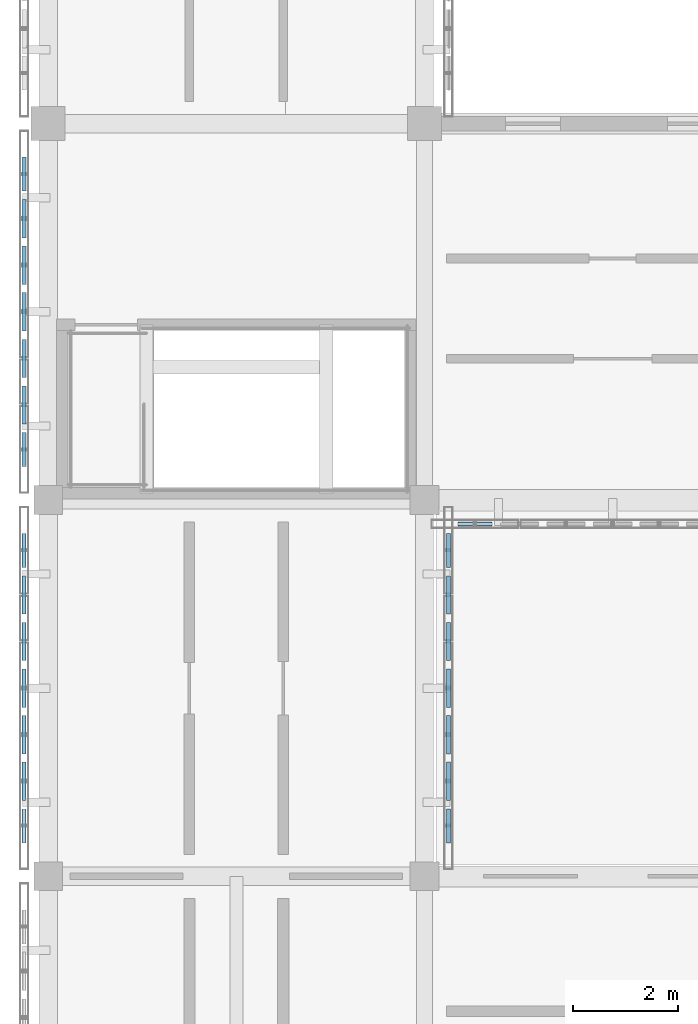
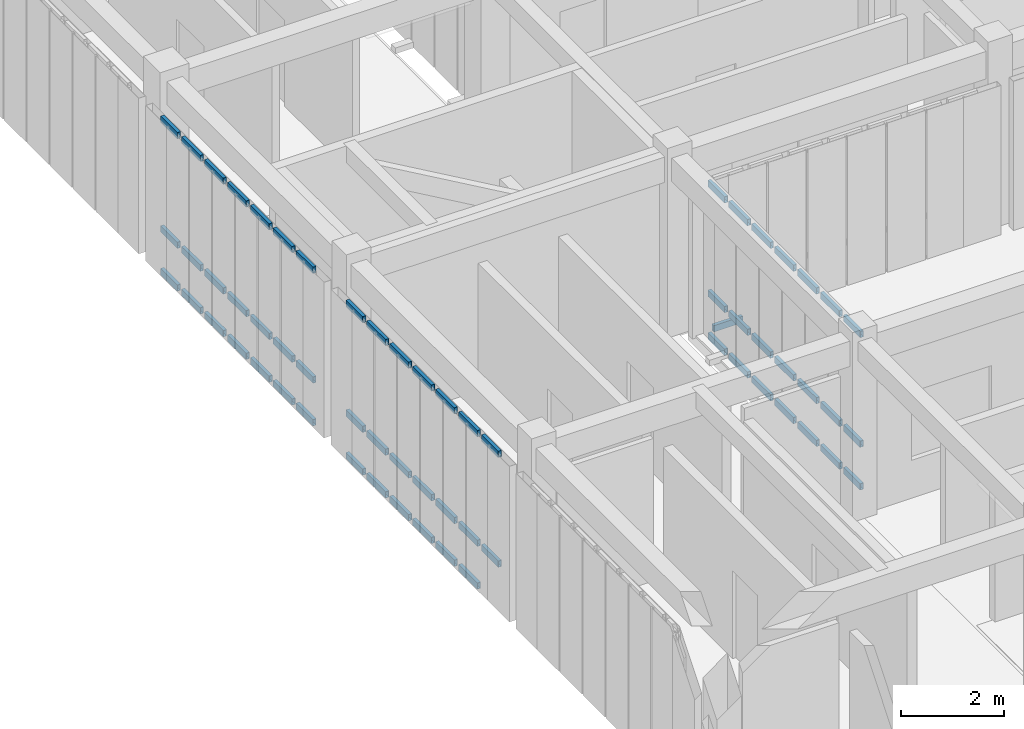
# One storey, part 22 of 91: 63 members, 4 elements without a shape of their own.
"""IFC4 building model written with IfcOpenShell, lengths in metres."""

import ifcopenshell
import ifcopenshell.guid

model = None  # the IFC model being written
_history = None  # IfcOwnerHistory: only IFC2X3 demands one
_inside = {}  # id of a spatial element -> (the spatial element, [elements in it])
_under = {}  # id of a project, library or spatial element -> (it, [spatial elements below it])
_declared = {}  # id of a project -> (the project, [libraries it declares])
_typed = {}  # id of a type object -> (the type object, [elements of that type])
_made_of = {}  # id of a material, layer set ... -> (it, [elements and type objects made of it])


def new_model(schema):
    """Start an empty IFC model of exactly this schema.

    Asked for "IFC4X3", IfcOpenShell would pick the latest addendum, in which some entities
    have other attributes; the version numbers below select the first issue.
    IFC2X3 requires an IfcOwnerHistory on every rooted entity: one is made here for all.
    """
    global model, _history
    if schema == "IFC4X3":
        model = ifcopenshell.file(schema_version=(4, 3, 0, 0))
    else:
        model = ifcopenshell.file(schema=schema)
    _inside.clear()
    _under.clear()
    _declared.clear()
    _typed.clear()
    _made_of.clear()
    _history = None
    if model.schema == "IFC2X3":
        org = make("IfcOrganization", Name="unknown")
        user = make(
            "IfcPersonAndOrganization",
            ThePerson=make("IfcPerson", FamilyName="unknown"),
            TheOrganization=org,
        )
        app = make(
            "IfcApplication",
            ApplicationDeveloper=org,
            Version="unknown",
            ApplicationFullName="unknown",
            ApplicationIdentifier="unknown",
        )
        _history = make(
            "IfcOwnerHistory",
            OwningUser=user,
            OwningApplication=app,
            ChangeAction="ADDED",
            CreationDate=0,
        )
    return model


def make(cls, **values):
    """One entity of the class cls with the attributes given. An attribute that is None is left unset."""
    return model.create_entity(
        cls, **{name: value for name, value in values.items() if value is not None}
    )


def rooted(cls, **values):
    """An entity with a GlobalId (a new one), such as an element, a storey or a relation."""
    return make(cls, GlobalId=ifcopenshell.guid.new(), OwnerHistory=_history, **values)


def si_unit(unit_type, name, prefix=None):
    """IfcSIUnit, for example si_unit("LENGTHUNIT", "METRE", prefix="MILLI")."""
    return make("IfcSIUnit", UnitType=unit_type, Prefix=prefix, Name=name)


def assignment(units):
    """IfcUnitAssignment: the units of a project."""
    return None if units is None else make("IfcUnitAssignment", Units=units)


def point(xyz):
    """IfcCartesianPoint."""
    return None if xyz is None else make("IfcCartesianPoint", Coordinates=xyz)


def direction(xyz):
    """IfcDirection."""
    return None if xyz is None else make("IfcDirection", DirectionRatios=xyz)


def frame(location, z_axis=None, x_axis=None):
    """IfcAxis2Placement3D, a coordinate frame: its origin and axes. An axis left out is left unset."""
    return make(
        "IfcAxis2Placement3D",
        Location=point(location),
        Axis=direction(z_axis),
        RefDirection=direction(x_axis),
    )


def frame_2d(location, x_axis=None):
    """IfcAxis2Placement2D, a coordinate frame in the plane: its origin and x axis."""
    return make(
        "IfcAxis2Placement2D", Location=point(location), RefDirection=direction(x_axis)
    )


def origin():
    """The frame at (0, 0, 0) with its axes left unset."""
    return frame((0.0, 0.0, 0.0))


def origin_2d():
    """The frame at (0, 0) in the plane with its x axis left unset."""
    return frame_2d((0.0, 0.0))


def place(relative_to, where):
    """IfcLocalPlacement: puts the frame where relative to a parent placement (None: the world)."""
    return make(
        "IfcLocalPlacement", PlacementRelTo=relative_to, RelativePlacement=where
    )


def context(
    kind, dimensions, precision=None, world=None, true_north=None, identifier=None
):
    """IfcGeometricRepresentationContext, for example the 3D "Model" context."""
    return make(
        "IfcGeometricRepresentationContext",
        ContextIdentifier=identifier,
        ContextType=kind,
        CoordinateSpaceDimension=dimensions,
        Precision=precision,
        WorldCoordinateSystem=world,
        TrueNorth=true_north,
    )


def subcontext(parent, identifier, kind, view, scale=None):
    """IfcGeometricRepresentationSubContext, for example "Body" below "Model"."""
    return make(
        "IfcGeometricRepresentationSubContext",
        ContextIdentifier=identifier,
        ContextType=kind,
        ParentContext=parent,
        TargetScale=scale,
        TargetView=view,
    )


def project(units=None, contexts=None):
    """IfcProject with its units and contexts."""
    return rooted(
        "IfcProject",
        Name="project",
        RepresentationContexts=contexts,
        UnitsInContext=assignment(units),
    )


def spatial(cls, under=None, at=None, **own):
    """A site, building, storey or space (cls), placed at a placement, below another one or the project."""
    s = rooted(cls, ObjectPlacement=at, **own)
    if under is not None:
        _under.setdefault(under.id(), (under, []))[1].append(s)
    return s


def profile(cls, at=None, kind="AREA", **sizes):
    """A parametric profile (cls). Its sizes go by their IFC names, for example OverallWidth=200.0."""
    return make(cls, ProfileType=kind, Position=at, **sizes)


def hollow_rectangle(**sizes):
    """IfcRectangleHollowProfileDef."""
    return profile("IfcRectangleHollowProfileDef", **sizes)


def extrude(swept, where, along, depth):
    """IfcExtrudedAreaSolid: the profile swept, set in the frame where, extruded along a direction by depth."""
    return make(
        "IfcExtrudedAreaSolid",
        SweptArea=swept,
        Position=where,
        ExtrudedDirection=direction(along),
        Depth=depth,
    )


def shape(context_of_items, identifier, shape_type, items):
    """IfcShapeRepresentation: the items that make up one representation, for example the "Body"."""
    return make(
        "IfcShapeRepresentation",
        ContextOfItems=context_of_items,
        RepresentationIdentifier=identifier,
        RepresentationType=shape_type,
        Items=items,
    )


def material(Name=None, Category=None):
    """IfcMaterial."""
    return make("IfcMaterial", Name=Name, Category=Category)


def material_profile(
    of_material, cross_section, Name=None, Category=None, Priority=None
):
    """IfcMaterialProfile: a cross section and its material."""
    return make(
        "IfcMaterialProfile",
        Name=Name,
        Material=of_material,
        Profile=cross_section,
        Priority=Priority,
        Category=Category,
    )


def profile_set(profiles, Name=None, composite=None):
    """IfcMaterialProfileSet."""
    return make(
        "IfcMaterialProfileSet",
        Name=Name,
        MaterialProfiles=profiles,
        CompositeProfile=composite,
    )


def made_of(thing, what):
    """Note that an element or type object is made of a material, layer set ...; save() writes the relation."""
    if what is not None:
        _made_of.setdefault(what.id(), (what, []))[1].append(thing)
    return thing


def type_object(cls, material=None, **own):
    """A type object (cls), such as IfcWallType, which elements share."""
    return made_of(rooted(cls, **own), material)


def element(
    cls,
    number,
    at=None,
    inside=None,
    cuts=None,
    type_object=None,
    material=None,
    context=None,
    identifier="Body",
    shape_type=None,
    held_by="IfcProductDefinitionShape",
    body=None,
    shapes=None,
    **own,
):
    """One element of the class cls, such as IfcWall. Its Tag is "e" and its number.

    at: its placement. inside: the storey or other place that contains it. cuts: it is an
    opening in that element (IfcRelVoidsElement). A single representation is given by context,
    identifier, shape_type and body (its items); several are given by shapes. held_by: the class
    of the entity that holds the representations. save() writes the other relations.
    """
    e = rooted(cls, Tag="e%d" % number, ObjectPlacement=at, **own)
    if body is not None:
        shapes = [shape(context, identifier, shape_type, body)]
    if shapes is not None:
        e.Representation = make(held_by, Representations=shapes)
    if inside is not None:
        _inside.setdefault(inside.id(), (inside, []))[1].append(e)
    if cuts is not None:
        rooted(
            "IfcRelVoidsElement", RelatingBuildingElement=cuts, RelatedOpeningElement=e
        )
    if type_object is not None:
        _typed.setdefault(type_object.id(), (type_object, []))[1].append(e)
    return made_of(e, material)


def aggregate(whole, parts):
    """IfcRelAggregates: a whole, such as a stair, and the parts it consists of."""
    return rooted("IfcRelAggregates", RelatingObject=whole, RelatedObjects=parts)


def save(model, path):
    """Write the relations noted so far, then the file.

    IfcRelAggregates (storeys below a building ...), IfcRelContainedInSpatialStructure (elements
    in a storey), IfcRelDefinesByType, IfcRelAssociatesMaterial and IfcRelDeclares: one each for
    every whole, place, type object, material and project.
    """
    for whole, parts in _under.values():
        aggregate(whole, parts)
    for where, things in _inside.values():
        rooted(
            "IfcRelContainedInSpatialStructure",
            RelatedElements=things,
            RelatingStructure=where,
        )
    for kind, things in _typed.values():
        rooted("IfcRelDefinesByType", RelatedObjects=things, RelatingType=kind)
    for what, things in _made_of.values():
        rooted("IfcRelAssociatesMaterial", RelatedObjects=things, RelatingMaterial=what)
    for by, libraries in _declared.values():
        rooted("IfcRelDeclares", RelatingContext=by, RelatedDefinitions=libraries)
    model.write(path)


model = new_model("IFC4")

# Units and contexts
model_context = context("Model", 3, precision=1e-05, world=origin(), true_north=direction((0.0, 1.0)))
body_context = subcontext(model_context, "Body", "Model", "MODEL_VIEW")
ifc_project = project(units=[si_unit("LENGTHUNIT", "METRE"), si_unit("AREAUNIT", "SQUARE_METRE"), si_unit("VOLUMEUNIT", "CUBIC_METRE"), si_unit("PLANEANGLEUNIT", "RADIAN"), si_unit("MASSUNIT", "GRAM", prefix="KILO")], contexts=[model_context])

# Site, building, storey
site_placement = place(None, origin())
site = spatial("IfcSite", under=ifc_project, at=site_placement, CompositionType="ELEMENT")
building_placement = place(site_placement, origin())
building = spatial("IfcBuilding", under=site, at=building_placement, Name="Aldebral Square Health Centre", CompositionType="ELEMENT")
storey_placement = place(building_placement, frame((0.0, 0.0, 9.0)))
storey = spatial("IfcBuildingStorey", under=building, at=storey_placement, Name="L02", CompositionType="ELEMENT", Elevation=9.0)

# Curtain wall, members
ifc_material_1 = material(Name="Aluminium and low-E solar glass", Category="aluminium")
curtain_wall_type = type_object("IfcCurtainWallType", Name="CW-FIN-SYS", PredefinedType="USERDEFINED", material=ifc_material_1)
curtain_wall_1_placement = place(storey_placement, origin())
curtain_wall_1 = element("IfcCurtainWall", 1, at=curtain_wall_1_placement, inside=storey, type_object=curtain_wall_type, Name="L02 V4 finned curtain wall L02-V4-00-07-W", ObjectType="SOLAR_CURTAIN_WALL", PredefinedType="USERDEFINED")
ifc_material_2 = material(Name="Anodised aluminium transom", Category="aluminium")
ifc_material_profile = material_profile(ifc_material_2, hollow_rectangle(XDim=0.074951171875, YDim=0.14990234375, WallThickness=0.00390625, at=origin_2d()), Name="CWT 75x150x4")
ifc_profile_set = profile_set([ifc_material_profile], Name="Anodised aluminium transom")
member_type = type_object("IfcMemberType", Name="CWT-STD", PredefinedType="USERDEFINED", material=ifc_profile_set)
member_1_placement = place(storey_placement, frame((-0.4599609375, 56.9599609375, 0.03759765625), z_axis=(0.0, -1.0, 0.0), x_axis=(1.0, 0.0, 0.0)))
member_1 = element("IfcMember", 2, at=member_1_placement, type_object=member_type, Name="CW1 transom 1.1", ObjectType="TRANSOM", PredefinedType="USERDEFINED", context=body_context, shape_type="SweptSolid", body=[
    extrude(hollow_rectangle(XDim=0.074951171875, YDim=0.14990234375, WallThickness=0.00390625, at=origin_2d()), origin(), (0.0, 0.0, 1.0), 0.6513671875),
])
member_2_placement = place(storey_placement, frame((-0.4599609375, 56.9599609375, 1.050048828125), z_axis=(0.0, -1.0, 0.0), x_axis=(1.0, 0.0, 0.0)))
member_2 = element("IfcMember", 3, at=member_2_placement, type_object=member_type, Name="CW1 transom 1.2", ObjectType="TRANSOM", PredefinedType="USERDEFINED", context=body_context, shape_type="SweptSolid", body=[
    extrude(hollow_rectangle(XDim=0.074951171875, YDim=0.14990234375, WallThickness=0.00390625, at=origin_2d()), origin(), (0.0, 0.0, 1.0), 0.6513671875),
])
member_3_placement = place(storey_placement, frame((-0.4599609375, 56.9599609375, 3.652587890625), z_axis=(0.0, -1.0, 0.0), x_axis=(1.0, 0.0, 0.0)))
member_3 = element("IfcMember", 4, at=member_3_placement, type_object=member_type, Name="CW1 transom 1.3", ObjectType="TRANSOM", PredefinedType="USERDEFINED", context=body_context, shape_type="SweptSolid", body=[
    extrude(hollow_rectangle(XDim=0.074951171875, YDim=0.14990234375, WallThickness=0.00390625, at=origin_2d()), origin(), (0.0, 0.0, 1.0), 0.6513671875),
])
member_4_placement = place(storey_placement, frame((-0.4599609375, 56.148681640625, 0.03759765625), z_axis=(0.0, -1.0, 0.0), x_axis=(1.0, 0.0, 0.0)))
member_4 = element("IfcMember", 5, at=member_4_placement, type_object=member_type, Name="CW1 transom 2.1", ObjectType="TRANSOM", PredefinedType="USERDEFINED", context=body_context, shape_type="SweptSolid", body=[
    extrude(hollow_rectangle(XDim=0.074951171875, YDim=0.14990234375, WallThickness=0.00390625, at=origin_2d()), origin(), (0.0, 0.0, 1.0), 0.7314453125),
])
member_5_placement = place(storey_placement, frame((-0.4599609375, 56.148681640625, 1.050048828125), z_axis=(0.0, -1.0, 0.0), x_axis=(1.0, 0.0, 0.0)))
member_5 = element("IfcMember", 6, at=member_5_placement, type_object=member_type, Name="CW1 transom 2.2", ObjectType="TRANSOM", PredefinedType="USERDEFINED", context=body_context, shape_type="SweptSolid", body=[
    extrude(hollow_rectangle(XDim=0.074951171875, YDim=0.14990234375, WallThickness=0.00390625, at=origin_2d()), origin(), (0.0, 0.0, 1.0), 0.7314453125),
])
member_6_placement = place(storey_placement, frame((-0.4599609375, 56.148681640625, 3.652587890625), z_axis=(0.0, -1.0, 0.0), x_axis=(1.0, 0.0, 0.0)))
member_6 = element("IfcMember", 7, at=member_6_placement, type_object=member_type, Name="CW1 transom 2.3", ObjectType="TRANSOM", PredefinedType="USERDEFINED", context=body_context, shape_type="SweptSolid", body=[
    extrude(hollow_rectangle(XDim=0.074951171875, YDim=0.14990234375, WallThickness=0.00390625, at=origin_2d()), origin(), (0.0, 0.0, 1.0), 0.7314453125),
])
member_7_placement = place(storey_placement, frame((-0.4599609375, 55.257080078125, 0.03759765625), z_axis=(0.0, -1.0, 0.0), x_axis=(1.0, 0.0, 0.0)))
member_7 = element("IfcMember", 8, at=member_7_placement, type_object=member_type, Name="CW1 transom 3.1", ObjectType="TRANSOM", PredefinedType="USERDEFINED", context=body_context, shape_type="SweptSolid", body=[
    extrude(hollow_rectangle(XDim=0.074951171875, YDim=0.14990234375, WallThickness=0.00390625, at=origin_2d()), origin(), (0.0, 0.0, 1.0), 0.7314453125),
])
member_8_placement = place(storey_placement, frame((-0.4599609375, 55.257080078125, 1.050048828125), z_axis=(0.0, -1.0, 0.0), x_axis=(1.0, 0.0, 0.0)))
member_8 = element("IfcMember", 9, at=member_8_placement, type_object=member_type, Name="CW1 transom 3.2", ObjectType="TRANSOM", PredefinedType="USERDEFINED", context=body_context, shape_type="SweptSolid", body=[
    extrude(hollow_rectangle(XDim=0.074951171875, YDim=0.14990234375, WallThickness=0.00390625, at=origin_2d()), origin(), (0.0, 0.0, 1.0), 0.7314453125),
])
member_9_placement = place(storey_placement, frame((-0.4599609375, 55.257080078125, 3.652587890625), z_axis=(0.0, -1.0, 0.0), x_axis=(1.0, 0.0, 0.0)))
member_9 = element("IfcMember", 10, at=member_9_placement, type_object=member_type, Name="CW1 transom 3.3", ObjectType="TRANSOM", PredefinedType="USERDEFINED", context=body_context, shape_type="SweptSolid", body=[
    extrude(hollow_rectangle(XDim=0.074951171875, YDim=0.14990234375, WallThickness=0.00390625, at=origin_2d()), origin(), (0.0, 0.0, 1.0), 0.7314453125),
])
member_10_placement = place(storey_placement, frame((-0.4599609375, 54.36572265625, 0.03759765625), z_axis=(0.0, -1.0, 0.0), x_axis=(1.0, 0.0, 0.0)))
member_10 = element("IfcMember", 11, at=member_10_placement, type_object=member_type, Name="CW1 transom 4.1", ObjectType="TRANSOM", PredefinedType="USERDEFINED", context=body_context, shape_type="SweptSolid", body=[
    extrude(hollow_rectangle(XDim=0.074951171875, YDim=0.14990234375, WallThickness=0.00390625, at=origin_2d()), origin(), (0.0, 0.0, 1.0), 0.7314453125),
])
member_11_placement = place(storey_placement, frame((-0.4599609375, 54.36572265625, 1.050048828125), z_axis=(0.0, -1.0, 0.0), x_axis=(1.0, 0.0, 0.0)))
member_11 = element("IfcMember", 12, at=member_11_placement, type_object=member_type, Name="CW1 transom 4.2", ObjectType="TRANSOM", PredefinedType="USERDEFINED", context=body_context, shape_type="SweptSolid", body=[
    extrude(hollow_rectangle(XDim=0.074951171875, YDim=0.14990234375, WallThickness=0.00390625, at=origin_2d()), origin(), (0.0, 0.0, 1.0), 0.7314453125),
])
member_12_placement = place(storey_placement, frame((-0.4599609375, 54.36572265625, 3.652587890625), z_axis=(0.0, -1.0, 0.0), x_axis=(1.0, 0.0, 0.0)))
member_12 = element("IfcMember", 13, at=member_12_placement, type_object=member_type, Name="CW1 transom 4.3", ObjectType="TRANSOM", PredefinedType="USERDEFINED", context=body_context, shape_type="SweptSolid", body=[
    extrude(hollow_rectangle(XDim=0.074951171875, YDim=0.14990234375, WallThickness=0.00390625, at=origin_2d()), origin(), (0.0, 0.0, 1.0), 0.7314453125),
])
member_13_placement = place(storey_placement, frame((-0.4599609375, 53.474365234375, 0.03759765625), z_axis=(0.0, -1.0, 0.0), x_axis=(1.0, 0.0, 0.0)))
member_13 = element("IfcMember", 14, at=member_13_placement, type_object=member_type, Name="CW1 transom 5.1", ObjectType="TRANSOM", PredefinedType="USERDEFINED", context=body_context, shape_type="SweptSolid", body=[
    extrude(hollow_rectangle(XDim=0.074951171875, YDim=0.14990234375, WallThickness=0.00390625, at=origin_2d()), origin(), (0.0, 0.0, 1.0), 0.7314453125),
])
member_14_placement = place(storey_placement, frame((-0.4599609375, 53.474365234375, 1.050048828125), z_axis=(0.0, -1.0, 0.0), x_axis=(1.0, 0.0, 0.0)))
member_14 = element("IfcMember", 15, at=member_14_placement, type_object=member_type, Name="CW1 transom 5.2", ObjectType="TRANSOM", PredefinedType="USERDEFINED", context=body_context, shape_type="SweptSolid", body=[
    extrude(hollow_rectangle(XDim=0.074951171875, YDim=0.14990234375, WallThickness=0.00390625, at=origin_2d()), origin(), (0.0, 0.0, 1.0), 0.7314453125),
])
member_15_placement = place(storey_placement, frame((-0.4599609375, 53.474365234375, 3.652587890625), z_axis=(0.0, -1.0, 0.0), x_axis=(1.0, 0.0, 0.0)))
member_15 = element("IfcMember", 16, at=member_15_placement, type_object=member_type, Name="CW1 transom 5.3", ObjectType="TRANSOM", PredefinedType="USERDEFINED", context=body_context, shape_type="SweptSolid", body=[
    extrude(hollow_rectangle(XDim=0.074951171875, YDim=0.14990234375, WallThickness=0.00390625, at=origin_2d()), origin(), (0.0, 0.0, 1.0), 0.7314453125),
])
member_16_placement = place(storey_placement, frame((-0.4599609375, 52.582763671875, 0.03759765625), z_axis=(0.0, -1.0, 0.0), x_axis=(1.0, 0.0, 0.0)))
member_16 = element("IfcMember", 17, at=member_16_placement, type_object=member_type, Name="CW1 transom 6.1", ObjectType="TRANSOM", PredefinedType="USERDEFINED", context=body_context, shape_type="SweptSolid", body=[
    extrude(hollow_rectangle(XDim=0.074951171875, YDim=0.14990234375, WallThickness=0.00390625, at=origin_2d()), origin(), (0.0, 0.0, 1.0), 0.7314453125),
])
member_17_placement = place(storey_placement, frame((-0.4599609375, 52.582763671875, 1.050048828125), z_axis=(0.0, -1.0, 0.0), x_axis=(1.0, 0.0, 0.0)))
member_17 = element("IfcMember", 18, at=member_17_placement, type_object=member_type, Name="CW1 transom 6.2", ObjectType="TRANSOM", PredefinedType="USERDEFINED", context=body_context, shape_type="SweptSolid", body=[
    extrude(hollow_rectangle(XDim=0.074951171875, YDim=0.14990234375, WallThickness=0.00390625, at=origin_2d()), origin(), (0.0, 0.0, 1.0), 0.7314453125),
])
member_18_placement = place(storey_placement, frame((-0.4599609375, 52.582763671875, 3.652587890625), z_axis=(0.0, -1.0, 0.0), x_axis=(1.0, 0.0, 0.0)))
member_18 = element("IfcMember", 19, at=member_18_placement, type_object=member_type, Name="CW1 transom 6.3", ObjectType="TRANSOM", PredefinedType="USERDEFINED", context=body_context, shape_type="SweptSolid", body=[
    extrude(hollow_rectangle(XDim=0.074951171875, YDim=0.14990234375, WallThickness=0.00390625, at=origin_2d()), origin(), (0.0, 0.0, 1.0), 0.7314453125),
])
member_19_placement = place(storey_placement, frame((-0.4599609375, 51.69140625, 1.050048828125), z_axis=(0.0, -1.0, 0.0), x_axis=(1.0, 0.0, 0.0)))
member_19 = element("IfcMember", 20, at=member_19_placement, type_object=member_type, Name="CW1 transom 7.2", ObjectType="TRANSOM", PredefinedType="USERDEFINED", context=body_context, shape_type="SweptSolid", body=[
    extrude(hollow_rectangle(XDim=0.074951171875, YDim=0.14990234375, WallThickness=0.00390625, at=origin_2d()), origin(), (0.0, 0.0, 1.0), 0.6513671875),
])
member_20_placement = place(storey_placement, frame((-0.4599609375, 51.69140625, 3.652587890625), z_axis=(0.0, -1.0, 0.0), x_axis=(1.0, 0.0, 0.0)))
member_20 = element("IfcMember", 21, at=member_20_placement, type_object=member_type, Name="CW1 transom 7.3", ObjectType="TRANSOM", PredefinedType="USERDEFINED", context=body_context, shape_type="SweptSolid", body=[
    extrude(hollow_rectangle(XDim=0.074951171875, YDim=0.14990234375, WallThickness=0.00390625, at=origin_2d()), origin(), (0.0, 0.0, 1.0), 0.6513671875),
])
aggregate(curtain_wall_1, [member_1, member_2, member_3, member_4, member_5, member_6, member_7, member_8, member_9, member_10, member_11, member_12, member_13, member_14, member_15, member_16, member_17, member_18, member_19, member_20])

curtain_wall_2_placement = place(storey_placement, origin())
curtain_wall_2 = element("IfcCurtainWall", 22, at=curtain_wall_2_placement, inside=storey, type_object=curtain_wall_type, Name="L02 V4 finned curtain wall L02-V4-00-07-E", ObjectType="SOLAR_CURTAIN_WALL", PredefinedType="USERDEFINED")
member_21_placement = place(storey_placement, frame((7.659912109375, 51.0400390625, 0.03759765625), z_axis=(0.0, 1.0, 0.0), x_axis=(-1.0, 0.0, 0.0)))
member_21 = element("IfcMember", 23, at=member_21_placement, type_object=member_type, Name="CW1 transom 1.1", ObjectType="TRANSOM", PredefinedType="USERDEFINED", context=body_context, shape_type="SweptSolid", body=[
    extrude(hollow_rectangle(XDim=0.074951171875, YDim=0.14990234375, WallThickness=0.00390625, at=origin_2d()), origin(), (0.0, 0.0, 1.0), 0.6513671875),
])
member_22_placement = place(storey_placement, frame((7.659912109375, 51.0400390625, 1.050048828125), z_axis=(0.0, 1.0, 0.0), x_axis=(-1.0, 0.0, 0.0)))
member_22 = element("IfcMember", 24, at=member_22_placement, type_object=member_type, Name="CW1 transom 1.2", ObjectType="TRANSOM", PredefinedType="USERDEFINED", context=body_context, shape_type="SweptSolid", body=[
    extrude(hollow_rectangle(XDim=0.074951171875, YDim=0.14990234375, WallThickness=0.00390625, at=origin_2d()), origin(), (0.0, 0.0, 1.0), 0.6513671875),
])
member_23_placement = place(storey_placement, frame((7.659912109375, 51.0400390625, 3.652587890625), z_axis=(0.0, 1.0, 0.0), x_axis=(-1.0, 0.0, 0.0)))
member_23 = element("IfcMember", 25, at=member_23_placement, type_object=member_type, Name="CW1 transom 1.3", ObjectType="TRANSOM", PredefinedType="USERDEFINED", context=body_context, shape_type="SweptSolid", body=[
    extrude(hollow_rectangle(XDim=0.074951171875, YDim=0.14990234375, WallThickness=0.00390625, at=origin_2d()), origin(), (0.0, 0.0, 1.0), 0.6513671875),
])
member_24_placement = place(storey_placement, frame((7.659912109375, 51.851318359375, 0.03759765625), z_axis=(0.0, 1.0, 0.0), x_axis=(-1.0, 0.0, 0.0)))
member_24 = element("IfcMember", 26, at=member_24_placement, type_object=member_type, Name="CW1 transom 2.1", ObjectType="TRANSOM", PredefinedType="USERDEFINED", context=body_context, shape_type="SweptSolid", body=[
    extrude(hollow_rectangle(XDim=0.074951171875, YDim=0.14990234375, WallThickness=0.00390625, at=origin_2d()), origin(), (0.0, 0.0, 1.0), 0.7314453125),
])
member_25_placement = place(storey_placement, frame((7.659912109375, 51.851318359375, 1.050048828125), z_axis=(0.0, 1.0, 0.0), x_axis=(-1.0, 0.0, 0.0)))
member_25 = element("IfcMember", 27, at=member_25_placement, type_object=member_type, Name="CW1 transom 2.2", ObjectType="TRANSOM", PredefinedType="USERDEFINED", context=body_context, shape_type="SweptSolid", body=[
    extrude(hollow_rectangle(XDim=0.074951171875, YDim=0.14990234375, WallThickness=0.00390625, at=origin_2d()), origin(), (0.0, 0.0, 1.0), 0.7314453125),
])
member_26_placement = place(storey_placement, frame((7.659912109375, 51.851318359375, 3.652587890625), z_axis=(0.0, 1.0, 0.0), x_axis=(-1.0, 0.0, 0.0)))
member_26 = element("IfcMember", 28, at=member_26_placement, type_object=member_type, Name="CW1 transom 2.3", ObjectType="TRANSOM", PredefinedType="USERDEFINED", context=body_context, shape_type="SweptSolid", body=[
    extrude(hollow_rectangle(XDim=0.074951171875, YDim=0.14990234375, WallThickness=0.00390625, at=origin_2d()), origin(), (0.0, 0.0, 1.0), 0.7314453125),
])
member_27_placement = place(storey_placement, frame((7.659912109375, 52.742919921875, 0.03759765625), z_axis=(0.0, 1.0, 0.0), x_axis=(-1.0, 0.0, 0.0)))
member_27 = element("IfcMember", 29, at=member_27_placement, type_object=member_type, Name="CW1 transom 3.1", ObjectType="TRANSOM", PredefinedType="USERDEFINED", context=body_context, shape_type="SweptSolid", body=[
    extrude(hollow_rectangle(XDim=0.074951171875, YDim=0.14990234375, WallThickness=0.00390625, at=origin_2d()), origin(), (0.0, 0.0, 1.0), 0.7314453125),
])
member_28_placement = place(storey_placement, frame((7.659912109375, 52.742919921875, 1.050048828125), z_axis=(0.0, 1.0, 0.0), x_axis=(-1.0, 0.0, 0.0)))
member_28 = element("IfcMember", 30, at=member_28_placement, type_object=member_type, Name="CW1 transom 3.2", ObjectType="TRANSOM", PredefinedType="USERDEFINED", context=body_context, shape_type="SweptSolid", body=[
    extrude(hollow_rectangle(XDim=0.074951171875, YDim=0.14990234375, WallThickness=0.00390625, at=origin_2d()), origin(), (0.0, 0.0, 1.0), 0.7314453125),
])
member_29_placement = place(storey_placement, frame((7.659912109375, 52.742919921875, 3.652587890625), z_axis=(0.0, 1.0, 0.0), x_axis=(-1.0, 0.0, 0.0)))
member_29 = element("IfcMember", 31, at=member_29_placement, type_object=member_type, Name="CW1 transom 3.3", ObjectType="TRANSOM", PredefinedType="USERDEFINED", context=body_context, shape_type="SweptSolid", body=[
    extrude(hollow_rectangle(XDim=0.074951171875, YDim=0.14990234375, WallThickness=0.00390625, at=origin_2d()), origin(), (0.0, 0.0, 1.0), 0.7314453125),
])
member_30_placement = place(storey_placement, frame((7.659912109375, 53.63427734375, 0.03759765625), z_axis=(0.0, 1.0, 0.0), x_axis=(-1.0, 0.0, 0.0)))
member_30 = element("IfcMember", 32, at=member_30_placement, type_object=member_type, Name="CW1 transom 4.1", ObjectType="TRANSOM", PredefinedType="USERDEFINED", context=body_context, shape_type="SweptSolid", body=[
    extrude(hollow_rectangle(XDim=0.074951171875, YDim=0.14990234375, WallThickness=0.00390625, at=origin_2d()), origin(), (0.0, 0.0, 1.0), 0.7314453125),
])
member_31_placement = place(storey_placement, frame((7.659912109375, 53.63427734375, 1.050048828125), z_axis=(0.0, 1.0, 0.0), x_axis=(-1.0, 0.0, 0.0)))
member_31 = element("IfcMember", 33, at=member_31_placement, type_object=member_type, Name="CW1 transom 4.2", ObjectType="TRANSOM", PredefinedType="USERDEFINED", context=body_context, shape_type="SweptSolid", body=[
    extrude(hollow_rectangle(XDim=0.074951171875, YDim=0.14990234375, WallThickness=0.00390625, at=origin_2d()), origin(), (0.0, 0.0, 1.0), 0.7314453125),
])
member_32_placement = place(storey_placement, frame((7.659912109375, 53.63427734375, 3.652587890625), z_axis=(0.0, 1.0, 0.0), x_axis=(-1.0, 0.0, 0.0)))
member_32 = element("IfcMember", 34, at=member_32_placement, type_object=member_type, Name="CW1 transom 4.3", ObjectType="TRANSOM", PredefinedType="USERDEFINED", context=body_context, shape_type="SweptSolid", body=[
    extrude(hollow_rectangle(XDim=0.074951171875, YDim=0.14990234375, WallThickness=0.00390625, at=origin_2d()), origin(), (0.0, 0.0, 1.0), 0.7314453125),
])
member_33_placement = place(storey_placement, frame((7.659912109375, 54.525634765625, 0.03759765625), z_axis=(0.0, 1.0, 0.0), x_axis=(-1.0, 0.0, 0.0)))
member_33 = element("IfcMember", 35, at=member_33_placement, type_object=member_type, Name="CW1 transom 5.1", ObjectType="TRANSOM", PredefinedType="USERDEFINED", context=body_context, shape_type="SweptSolid", body=[
    extrude(hollow_rectangle(XDim=0.074951171875, YDim=0.14990234375, WallThickness=0.00390625, at=origin_2d()), origin(), (0.0, 0.0, 1.0), 0.7314453125),
])
member_34_placement = place(storey_placement, frame((7.659912109375, 54.525634765625, 1.050048828125), z_axis=(0.0, 1.0, 0.0), x_axis=(-1.0, 0.0, 0.0)))
member_34 = element("IfcMember", 36, at=member_34_placement, type_object=member_type, Name="CW1 transom 5.2", ObjectType="TRANSOM", PredefinedType="USERDEFINED", context=body_context, shape_type="SweptSolid", body=[
    extrude(hollow_rectangle(XDim=0.074951171875, YDim=0.14990234375, WallThickness=0.00390625, at=origin_2d()), origin(), (0.0, 0.0, 1.0), 0.7314453125),
])
member_35_placement = place(storey_placement, frame((7.659912109375, 54.525634765625, 3.652587890625), z_axis=(0.0, 1.0, 0.0), x_axis=(-1.0, 0.0, 0.0)))
member_35 = element("IfcMember", 37, at=member_35_placement, type_object=member_type, Name="CW1 transom 5.3", ObjectType="TRANSOM", PredefinedType="USERDEFINED", context=body_context, shape_type="SweptSolid", body=[
    extrude(hollow_rectangle(XDim=0.074951171875, YDim=0.14990234375, WallThickness=0.00390625, at=origin_2d()), origin(), (0.0, 0.0, 1.0), 0.7314453125),
])
member_36_placement = place(storey_placement, frame((7.659912109375, 55.417236328125, 0.03759765625), z_axis=(0.0, 1.0, 0.0), x_axis=(-1.0, 0.0, 0.0)))
member_36 = element("IfcMember", 38, at=member_36_placement, type_object=member_type, Name="CW1 transom 6.1", ObjectType="TRANSOM", PredefinedType="USERDEFINED", context=body_context, shape_type="SweptSolid", body=[
    extrude(hollow_rectangle(XDim=0.074951171875, YDim=0.14990234375, WallThickness=0.00390625, at=origin_2d()), origin(), (0.0, 0.0, 1.0), 0.7314453125),
])
member_37_placement = place(storey_placement, frame((7.659912109375, 55.417236328125, 1.050048828125), z_axis=(0.0, 1.0, 0.0), x_axis=(-1.0, 0.0, 0.0)))
member_37 = element("IfcMember", 39, at=member_37_placement, type_object=member_type, Name="CW1 transom 6.2", ObjectType="TRANSOM", PredefinedType="USERDEFINED", context=body_context, shape_type="SweptSolid", body=[
    extrude(hollow_rectangle(XDim=0.074951171875, YDim=0.14990234375, WallThickness=0.00390625, at=origin_2d()), origin(), (0.0, 0.0, 1.0), 0.7314453125),
])
member_38_placement = place(storey_placement, frame((7.659912109375, 55.417236328125, 3.652587890625), z_axis=(0.0, 1.0, 0.0), x_axis=(-1.0, 0.0, 0.0)))
member_38 = element("IfcMember", 40, at=member_38_placement, type_object=member_type, Name="CW1 transom 6.3", ObjectType="TRANSOM", PredefinedType="USERDEFINED", context=body_context, shape_type="SweptSolid", body=[
    extrude(hollow_rectangle(XDim=0.074951171875, YDim=0.14990234375, WallThickness=0.00390625, at=origin_2d()), origin(), (0.0, 0.0, 1.0), 0.7314453125),
])
member_39_placement = place(storey_placement, frame((7.659912109375, 56.30859375, 0.03759765625), z_axis=(0.0, 1.0, 0.0), x_axis=(-1.0, 0.0, 0.0)))
member_39 = element("IfcMember", 41, at=member_39_placement, type_object=member_type, Name="CW1 transom 7.1", ObjectType="TRANSOM", PredefinedType="USERDEFINED", context=body_context, shape_type="SweptSolid", body=[
    extrude(hollow_rectangle(XDim=0.074951171875, YDim=0.14990234375, WallThickness=0.00390625, at=origin_2d()), origin(), (0.0, 0.0, 1.0), 0.6513671875),
])
member_40_placement = place(storey_placement, frame((7.659912109375, 56.30859375, 1.050048828125), z_axis=(0.0, 1.0, 0.0), x_axis=(-1.0, 0.0, 0.0)))
member_40 = element("IfcMember", 42, at=member_40_placement, type_object=member_type, Name="CW1 transom 7.2", ObjectType="TRANSOM", PredefinedType="USERDEFINED", context=body_context, shape_type="SweptSolid", body=[
    extrude(hollow_rectangle(XDim=0.074951171875, YDim=0.14990234375, WallThickness=0.00390625, at=origin_2d()), origin(), (0.0, 0.0, 1.0), 0.6513671875),
])
member_41_placement = place(storey_placement, frame((7.659912109375, 56.30859375, 3.652587890625), z_axis=(0.0, 1.0, 0.0), x_axis=(-1.0, 0.0, 0.0)))
member_41 = element("IfcMember", 43, at=member_41_placement, type_object=member_type, Name="CW1 transom 7.3", ObjectType="TRANSOM", PredefinedType="USERDEFINED", context=body_context, shape_type="SweptSolid", body=[
    extrude(hollow_rectangle(XDim=0.074951171875, YDim=0.14990234375, WallThickness=0.00390625, at=origin_2d()), origin(), (0.0, 0.0, 1.0), 0.6513671875),
])
aggregate(curtain_wall_2, [member_21, member_22, member_23, member_24, member_25, member_26, member_27, member_28, member_29, member_30, member_31, member_32, member_33, member_34, member_35, member_36, member_37, member_38, member_39, member_40, member_41])

curtain_wall_3_placement = place(storey_placement, origin())
curtain_wall_3 = element("IfcCurtainWall", 44, at=curtain_wall_3_placement, inside=storey, type_object=curtain_wall_type, Name="L02 V4 finned curtain wall L02-V4-00-08-W", ObjectType="SOLAR_CURTAIN_WALL", PredefinedType="USERDEFINED")
member_42_placement = place(storey_placement, frame((-0.4599609375, 64.159912109375, 0.03759765625), z_axis=(0.0, -1.0, 0.0), x_axis=(1.0, 0.0, 0.0)))
member_42 = element("IfcMember", 45, at=member_42_placement, type_object=member_type, Name="CW1 transom 1.1", ObjectType="TRANSOM", PredefinedType="USERDEFINED", context=body_context, shape_type="SweptSolid", body=[
    extrude(hollow_rectangle(XDim=0.074951171875, YDim=0.14990234375, WallThickness=0.00390625, at=origin_2d()), origin(), (0.0, 0.0, 1.0), 0.6513671875),
])
member_43_placement = place(storey_placement, frame((-0.4599609375, 64.159912109375, 1.050048828125), z_axis=(0.0, -1.0, 0.0), x_axis=(1.0, 0.0, 0.0)))
member_43 = element("IfcMember", 46, at=member_43_placement, type_object=member_type, Name="CW1 transom 1.2", ObjectType="TRANSOM", PredefinedType="USERDEFINED", context=body_context, shape_type="SweptSolid", body=[
    extrude(hollow_rectangle(XDim=0.074951171875, YDim=0.14990234375, WallThickness=0.00390625, at=origin_2d()), origin(), (0.0, 0.0, 1.0), 0.6513671875),
])
member_44_placement = place(storey_placement, frame((-0.4599609375, 64.159912109375, 3.652587890625), z_axis=(0.0, -1.0, 0.0), x_axis=(1.0, 0.0, 0.0)))
member_44 = element("IfcMember", 47, at=member_44_placement, type_object=member_type, Name="CW1 transom 1.3", ObjectType="TRANSOM", PredefinedType="USERDEFINED", context=body_context, shape_type="SweptSolid", body=[
    extrude(hollow_rectangle(XDim=0.074951171875, YDim=0.14990234375, WallThickness=0.00390625, at=origin_2d()), origin(), (0.0, 0.0, 1.0), 0.6513671875),
])
member_45_placement = place(storey_placement, frame((-0.4599609375, 63.3486328125, 0.03759765625), z_axis=(0.0, -1.0, 0.0), x_axis=(1.0, 0.0, 0.0)))
member_45 = element("IfcMember", 48, at=member_45_placement, type_object=member_type, Name="CW1 transom 2.1", ObjectType="TRANSOM", PredefinedType="USERDEFINED", context=body_context, shape_type="SweptSolid", body=[
    extrude(hollow_rectangle(XDim=0.074951171875, YDim=0.14990234375, WallThickness=0.00390625, at=origin_2d()), origin(), (0.0, 0.0, 1.0), 0.7314453125),
])
member_46_placement = place(storey_placement, frame((-0.4599609375, 63.3486328125, 1.050048828125), z_axis=(0.0, -1.0, 0.0), x_axis=(1.0, 0.0, 0.0)))
member_46 = element("IfcMember", 49, at=member_46_placement, type_object=member_type, Name="CW1 transom 2.2", ObjectType="TRANSOM", PredefinedType="USERDEFINED", context=body_context, shape_type="SweptSolid", body=[
    extrude(hollow_rectangle(XDim=0.074951171875, YDim=0.14990234375, WallThickness=0.00390625, at=origin_2d()), origin(), (0.0, 0.0, 1.0), 0.7314453125),
])
member_47_placement = place(storey_placement, frame((-0.4599609375, 63.3486328125, 3.652587890625), z_axis=(0.0, -1.0, 0.0), x_axis=(1.0, 0.0, 0.0)))
member_47 = element("IfcMember", 50, at=member_47_placement, type_object=member_type, Name="CW1 transom 2.3", ObjectType="TRANSOM", PredefinedType="USERDEFINED", context=body_context, shape_type="SweptSolid", body=[
    extrude(hollow_rectangle(XDim=0.074951171875, YDim=0.14990234375, WallThickness=0.00390625, at=origin_2d()), origin(), (0.0, 0.0, 1.0), 0.7314453125),
])
member_48_placement = place(storey_placement, frame((-0.4599609375, 62.45703125, 0.03759765625), z_axis=(0.0, -1.0, 0.0), x_axis=(1.0, 0.0, 0.0)))
member_48 = element("IfcMember", 51, at=member_48_placement, type_object=member_type, Name="CW1 transom 3.1", ObjectType="TRANSOM", PredefinedType="USERDEFINED", context=body_context, shape_type="SweptSolid", body=[
    extrude(hollow_rectangle(XDim=0.074951171875, YDim=0.14990234375, WallThickness=0.00390625, at=origin_2d()), origin(), (0.0, 0.0, 1.0), 0.731201171875),
])
member_49_placement = place(storey_placement, frame((-0.4599609375, 62.45703125, 1.050048828125), z_axis=(0.0, -1.0, 0.0), x_axis=(1.0, 0.0, 0.0)))
member_49 = element("IfcMember", 52, at=member_49_placement, type_object=member_type, Name="CW1 transom 3.2", ObjectType="TRANSOM", PredefinedType="USERDEFINED", context=body_context, shape_type="SweptSolid", body=[
    extrude(hollow_rectangle(XDim=0.074951171875, YDim=0.14990234375, WallThickness=0.00390625, at=origin_2d()), origin(), (0.0, 0.0, 1.0), 0.731201171875),
])
member_50_placement = place(storey_placement, frame((-0.4599609375, 62.45703125, 3.652587890625), z_axis=(0.0, -1.0, 0.0), x_axis=(1.0, 0.0, 0.0)))
member_50 = element("IfcMember", 53, at=member_50_placement, type_object=member_type, Name="CW1 transom 3.3", ObjectType="TRANSOM", PredefinedType="USERDEFINED", context=body_context, shape_type="SweptSolid", body=[
    extrude(hollow_rectangle(XDim=0.074951171875, YDim=0.14990234375, WallThickness=0.00390625, at=origin_2d()), origin(), (0.0, 0.0, 1.0), 0.731201171875),
])
member_51_placement = place(storey_placement, frame((-0.4599609375, 61.565673828125, 0.03759765625), z_axis=(0.0, -1.0, 0.0), x_axis=(1.0, 0.0, 0.0)))
member_51 = element("IfcMember", 54, at=member_51_placement, type_object=member_type, Name="CW1 transom 4.1", ObjectType="TRANSOM", PredefinedType="USERDEFINED", context=body_context, shape_type="SweptSolid", body=[
    extrude(hollow_rectangle(XDim=0.074951171875, YDim=0.14990234375, WallThickness=0.00390625, at=origin_2d()), origin(), (0.0, 0.0, 1.0), 0.7314453125),
])
member_52_placement = place(storey_placement, frame((-0.4599609375, 61.565673828125, 1.050048828125), z_axis=(0.0, -1.0, 0.0), x_axis=(1.0, 0.0, 0.0)))
member_52 = element("IfcMember", 55, at=member_52_placement, type_object=member_type, Name="CW1 transom 4.2", ObjectType="TRANSOM", PredefinedType="USERDEFINED", context=body_context, shape_type="SweptSolid", body=[
    extrude(hollow_rectangle(XDim=0.074951171875, YDim=0.14990234375, WallThickness=0.00390625, at=origin_2d()), origin(), (0.0, 0.0, 1.0), 0.7314453125),
])
member_53_placement = place(storey_placement, frame((-0.4599609375, 61.565673828125, 3.652587890625), z_axis=(0.0, -1.0, 0.0), x_axis=(1.0, 0.0, 0.0)))
member_53 = element("IfcMember", 56, at=member_53_placement, type_object=member_type, Name="CW1 transom 4.3", ObjectType="TRANSOM", PredefinedType="USERDEFINED", context=body_context, shape_type="SweptSolid", body=[
    extrude(hollow_rectangle(XDim=0.074951171875, YDim=0.14990234375, WallThickness=0.00390625, at=origin_2d()), origin(), (0.0, 0.0, 1.0), 0.7314453125),
])
member_54_placement = place(storey_placement, frame((-0.4599609375, 60.67431640625, 0.03759765625), z_axis=(0.0, -1.0, 0.0), x_axis=(1.0, 0.0, 0.0)))
member_54 = element("IfcMember", 57, at=member_54_placement, type_object=member_type, Name="CW1 transom 5.1", ObjectType="TRANSOM", PredefinedType="USERDEFINED", context=body_context, shape_type="SweptSolid", body=[
    extrude(hollow_rectangle(XDim=0.074951171875, YDim=0.14990234375, WallThickness=0.00390625, at=origin_2d()), origin(), (0.0, 0.0, 1.0), 0.7314453125),
])
member_55_placement = place(storey_placement, frame((-0.4599609375, 60.67431640625, 1.050048828125), z_axis=(0.0, -1.0, 0.0), x_axis=(1.0, 0.0, 0.0)))
member_55 = element("IfcMember", 58, at=member_55_placement, type_object=member_type, Name="CW1 transom 5.2", ObjectType="TRANSOM", PredefinedType="USERDEFINED", context=body_context, shape_type="SweptSolid", body=[
    extrude(hollow_rectangle(XDim=0.074951171875, YDim=0.14990234375, WallThickness=0.00390625, at=origin_2d()), origin(), (0.0, 0.0, 1.0), 0.7314453125),
])
member_56_placement = place(storey_placement, frame((-0.4599609375, 60.67431640625, 3.652587890625), z_axis=(0.0, -1.0, 0.0), x_axis=(1.0, 0.0, 0.0)))
member_56 = element("IfcMember", 59, at=member_56_placement, type_object=member_type, Name="CW1 transom 5.3", ObjectType="TRANSOM", PredefinedType="USERDEFINED", context=body_context, shape_type="SweptSolid", body=[
    extrude(hollow_rectangle(XDim=0.074951171875, YDim=0.14990234375, WallThickness=0.00390625, at=origin_2d()), origin(), (0.0, 0.0, 1.0), 0.7314453125),
])
member_57_placement = place(storey_placement, frame((-0.4599609375, 59.782958984375, 0.03759765625), z_axis=(0.0, -1.0, 0.0), x_axis=(1.0, 0.0, 0.0)))
member_57 = element("IfcMember", 60, at=member_57_placement, type_object=member_type, Name="CW1 transom 6.1", ObjectType="TRANSOM", PredefinedType="USERDEFINED", context=body_context, shape_type="SweptSolid", body=[
    extrude(hollow_rectangle(XDim=0.074951171875, YDim=0.14990234375, WallThickness=0.00390625, at=origin_2d()), origin(), (0.0, 0.0, 1.0), 0.7314453125),
])
member_58_placement = place(storey_placement, frame((-0.4599609375, 59.782958984375, 1.050048828125), z_axis=(0.0, -1.0, 0.0), x_axis=(1.0, 0.0, 0.0)))
member_58 = element("IfcMember", 61, at=member_58_placement, type_object=member_type, Name="CW1 transom 6.2", ObjectType="TRANSOM", PredefinedType="USERDEFINED", context=body_context, shape_type="SweptSolid", body=[
    extrude(hollow_rectangle(XDim=0.074951171875, YDim=0.14990234375, WallThickness=0.00390625, at=origin_2d()), origin(), (0.0, 0.0, 1.0), 0.7314453125),
])
member_59_placement = place(storey_placement, frame((-0.4599609375, 59.782958984375, 3.652587890625), z_axis=(0.0, -1.0, 0.0), x_axis=(1.0, 0.0, 0.0)))
member_59 = element("IfcMember", 62, at=member_59_placement, type_object=member_type, Name="CW1 transom 6.3", ObjectType="TRANSOM", PredefinedType="USERDEFINED", context=body_context, shape_type="SweptSolid", body=[
    extrude(hollow_rectangle(XDim=0.074951171875, YDim=0.14990234375, WallThickness=0.00390625, at=origin_2d()), origin(), (0.0, 0.0, 1.0), 0.7314453125),
])
member_60_placement = place(storey_placement, frame((-0.4599609375, 58.891357421875, 0.03759765625), z_axis=(0.0, -1.0, 0.0), x_axis=(1.0, 0.0, 0.0)))
member_60 = element("IfcMember", 63, at=member_60_placement, type_object=member_type, Name="CW1 transom 7.1", ObjectType="TRANSOM", PredefinedType="USERDEFINED", context=body_context, shape_type="SweptSolid", body=[
    extrude(hollow_rectangle(XDim=0.074951171875, YDim=0.14990234375, WallThickness=0.00390625, at=origin_2d()), origin(), (0.0, 0.0, 1.0), 0.6513671875),
])
member_61_placement = place(storey_placement, frame((-0.4599609375, 58.891357421875, 1.050048828125), z_axis=(0.0, -1.0, 0.0), x_axis=(1.0, 0.0, 0.0)))
member_61 = element("IfcMember", 64, at=member_61_placement, type_object=member_type, Name="CW1 transom 7.2", ObjectType="TRANSOM", PredefinedType="USERDEFINED", context=body_context, shape_type="SweptSolid", body=[
    extrude(hollow_rectangle(XDim=0.074951171875, YDim=0.14990234375, WallThickness=0.00390625, at=origin_2d()), origin(), (0.0, 0.0, 1.0), 0.6513671875),
])
member_62_placement = place(storey_placement, frame((-0.4599609375, 58.891357421875, 3.652587890625), z_axis=(0.0, -1.0, 0.0), x_axis=(1.0, 0.0, 0.0)))
member_62 = element("IfcMember", 65, at=member_62_placement, type_object=member_type, Name="CW1 transom 7.3", ObjectType="TRANSOM", PredefinedType="USERDEFINED", context=body_context, shape_type="SweptSolid", body=[
    extrude(hollow_rectangle(XDim=0.074951171875, YDim=0.14990234375, WallThickness=0.00390625, at=origin_2d()), origin(), (0.0, 0.0, 1.0), 0.6513671875),
])
aggregate(curtain_wall_3, [member_42, member_43, member_44, member_45, member_46, member_47, member_48, member_49, member_50, member_51, member_52, member_53, member_54, member_55, member_56, member_57, member_58, member_59, member_60, member_61, member_62])

# Curtain wall, member
curtain_wall_4_placement = place(storey_placement, origin())
curtain_wall_4 = element("IfcCurtainWall", 66, at=curtain_wall_4_placement, inside=storey, type_object=curtain_wall_type, Name="L02 V4 finned curtain wall L02-V4-01-08-S", ObjectType="SOLAR_CURTAIN_WALL", PredefinedType="USERDEFINED")
member_63_placement = place(storey_placement, frame((7.840087890625, 57.139892578125, 0.03759765625), z_axis=(1.0, 0.0, 0.0), x_axis=(0.0, 1.0, 0.0)))
member_63 = element("IfcMember", 67, at=member_63_placement, type_object=member_type, Name="CW1 transom 1.1", ObjectType="TRANSOM", PredefinedType="USERDEFINED", context=body_context, shape_type="SweptSolid", body=[
    extrude(hollow_rectangle(XDim=0.074951171875, YDim=0.14990234375, WallThickness=0.00390625, at=origin_2d()), origin(), (0.0, 0.0, 1.0), 0.6513671875),
])
aggregate(curtain_wall_4, [member_63])

save(model, "model.ifc")
